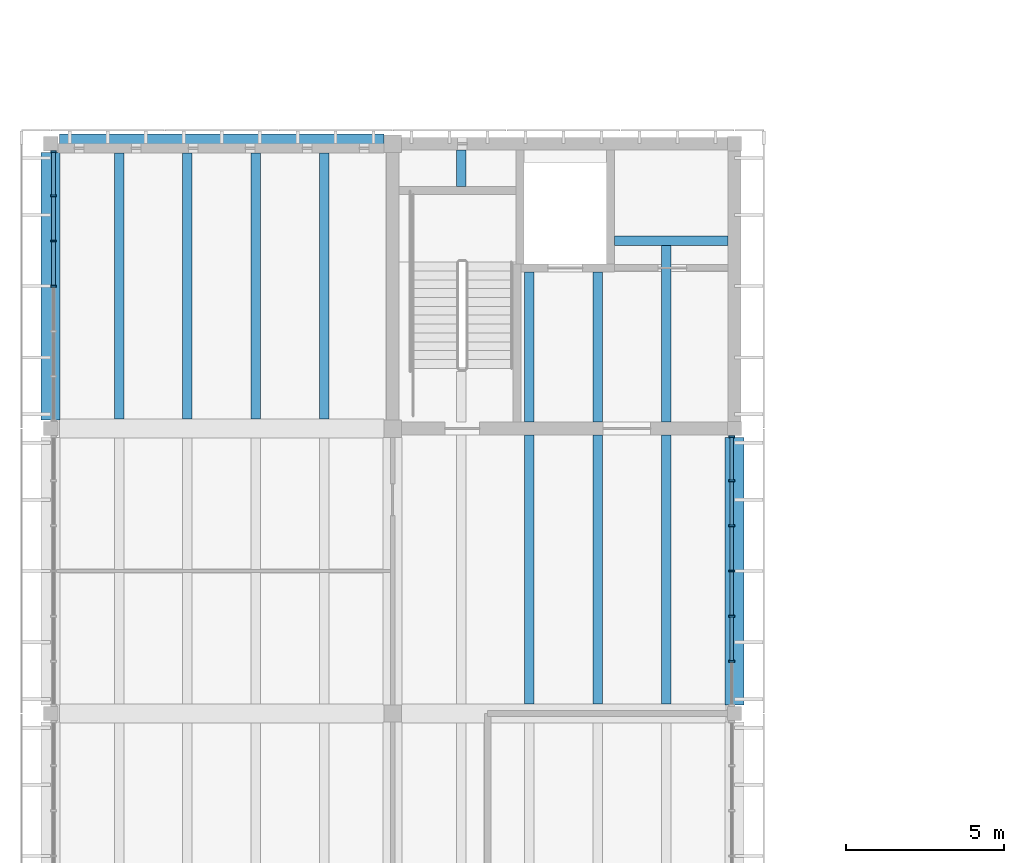
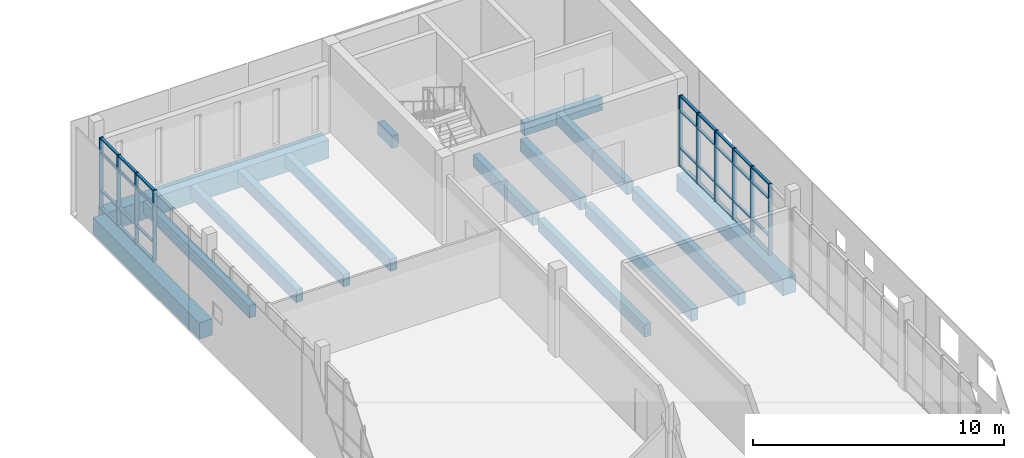
# One storey, part 15 of 50: 42 members, 15 beams, 2 elements without a shape of their own.
"""IFC4 building model written with IfcOpenShell, lengths in metres."""

from ifc_helpers import new_model, si_unit, direction, frame, origin, origin_2d, place, context, subcontext, project, spatial, rectangle, extrude, material, material_profile, profile_set, type_object, element, aggregate, save


model = new_model("IFC4")

# Units and contexts
model_context = context("Model", 3, precision=1e-05, world=origin(), true_north=direction((0.0, 1.0)))
body_context = subcontext(model_context, "Body", "Model", "MODEL_VIEW")
ifc_project = project(units=[si_unit("LENGTHUNIT", "METRE"), si_unit("AREAUNIT", "SQUARE_METRE"), si_unit("VOLUMEUNIT", "CUBIC_METRE"), si_unit("PLANEANGLEUNIT", "RADIAN"), si_unit("MASSUNIT", "GRAM", prefix="KILO")], contexts=[model_context])

# Site, building, storey
site_placement = place(None, origin())
site = spatial("IfcSite", under=ifc_project, at=site_placement, CompositionType="ELEMENT")
building_placement = place(site_placement, origin())
building = spatial("IfcBuilding", under=site, at=building_placement, Name="Merrow Basin Faculty of Sciences", CompositionType="ELEMENT")
storey_placement = place(building_placement, frame((0.0, 0.0, 18.0)))
storey = spatial("IfcBuildingStorey", under=building, at=storey_placement, Name="L04", CompositionType="ELEMENT", Elevation=18.0)

# Curtain wall, members
ifc_material_1 = material(Name="Aluminium alloy 6063", Category="aluminium")
curtain_wall_type = type_object("IfcCurtainWallType", Name="Bar unitised curtain wall 180", PredefinedType="NOTDEFINED", material=ifc_material_1)
curtain_wall_1_placement = place(storey_placement, origin())
curtain_wall_1 = element("IfcCurtainWall", 1, at=curtain_wall_1_placement, inside=storey, type_object=curtain_wall_type, Name="West curtain wall L04 7", PredefinedType="NOTDEFINED")
ifc_material_2 = material(Name="Aluminium alloy 6063", Category="aluminium")
ifc_material_profile_1 = material_profile(ifc_material_2, rectangle(XDim=0.179931640625, YDim=0.06005859375, at=origin_2d()))
ifc_profile_set_1 = profile_set([ifc_material_profile_1], Name="Aluminium alloy 6063")
member_type_1 = type_object("IfcMemberType", Name="Aluminium mullion 60x180", PredefinedType="MULLION", material=ifc_profile_set_1)
member_1_placement = place(storey_placement, frame((0.090087890625, 128.5, 0.0), z_axis=(0.0, 0.0, 1.0), x_axis=(-1.0, 0.0, 0.0)))
member_1 = element("IfcMember", 2, at=member_1_placement, type_object=member_type_1, Name="CW1 mullion 4", PredefinedType="MULLION", context=body_context, shape_type="SweptSolid", body=[
    extrude(rectangle(XDim=0.179931640625, YDim=0.06005859375, at=origin_2d()), origin(), (0.0, 0.0, 1.0), 3.449951171875),
])
member_2_placement = place(storey_placement, frame((0.090087890625, 129.925048828125, 0.0), z_axis=(0.0, 0.0, 1.0), x_axis=(-1.0, 0.0, 0.0)))
member_2 = element("IfcMember", 3, at=member_2_placement, type_object=member_type_1, Name="CW1 mullion 5", PredefinedType="MULLION", context=body_context, shape_type="SweptSolid", body=[
    extrude(rectangle(XDim=0.179931640625, YDim=0.06005859375, at=origin_2d()), origin(), (0.0, 0.0, 1.0), 3.449951171875),
])
member_3_placement = place(storey_placement, frame((0.090087890625, 131.35009765625, 0.0), z_axis=(0.0, 0.0, 1.0), x_axis=(-1.0, 0.0, 0.0)))
member_3 = element("IfcMember", 4, at=member_3_placement, type_object=member_type_1, Name="CW1 mullion 6", PredefinedType="MULLION", context=body_context, shape_type="SweptSolid", body=[
    extrude(rectangle(XDim=0.179931640625, YDim=0.06005859375, at=origin_2d()), origin(), (0.0, 0.0, 1.0), 3.449951171875),
])
member_4_placement = place(storey_placement, frame((0.090087890625, 132.7451171875, 0.0), z_axis=(0.0, 0.0, 1.0), x_axis=(-1.0, 0.0, 0.0)))
member_4 = element("IfcMember", 5, at=member_4_placement, type_object=member_type_1, Name="CW1 mullion 7", PredefinedType="MULLION", context=body_context, shape_type="SweptSolid", body=[
    extrude(rectangle(XDim=0.179931640625, YDim=0.06005859375, at=origin_2d()), origin(), (0.0, 0.0, 1.0), 3.449951171875),
])

curtain_wall_2_placement = place(storey_placement, origin())
curtain_wall_2 = element("IfcCurtainWall", 6, at=curtain_wall_2_placement, inside=storey, type_object=curtain_wall_type, Name="East curtain wall L04 6", PredefinedType="NOTDEFINED")
member_5_placement = place(storey_placement, frame((21.510009765625, 116.64990234375, 0.0), z_axis=(0.0, 0.0, 1.0), x_axis=(-1.0, 0.0, 0.0)))
member_5 = element("IfcMember", 7, at=member_5_placement, type_object=member_type_1, Name="CW1 mullion 2", PredefinedType="MULLION", context=body_context, shape_type="SweptSolid", body=[
    extrude(rectangle(XDim=0.179931640625, YDim=0.06005859375, at=origin_2d()), origin(), (0.0, 0.0, 1.0), 3.449951171875),
])
member_6_placement = place(storey_placement, frame((21.510009765625, 118.074951171875, 0.0), z_axis=(0.0, 0.0, 1.0), x_axis=(-1.0, 0.0, 0.0)))
member_6 = element("IfcMember", 8, at=member_6_placement, type_object=member_type_1, Name="CW1 mullion 3", PredefinedType="MULLION", context=body_context, shape_type="SweptSolid", body=[
    extrude(rectangle(XDim=0.179931640625, YDim=0.06005859375, at=origin_2d()), origin(), (0.0, 0.0, 1.0), 3.449951171875),
])
member_7_placement = place(storey_placement, frame((21.510009765625, 119.5, 0.0), z_axis=(0.0, 0.0, 1.0), x_axis=(-1.0, 0.0, 0.0)))
member_7 = element("IfcMember", 9, at=member_7_placement, type_object=member_type_1, Name="CW1 mullion 4", PredefinedType="MULLION", context=body_context, shape_type="SweptSolid", body=[
    extrude(rectangle(XDim=0.179931640625, YDim=0.06005859375, at=origin_2d()), origin(), (0.0, 0.0, 1.0), 3.449951171875),
])
member_8_placement = place(storey_placement, frame((21.510009765625, 120.925048828125, 0.0), z_axis=(0.0, 0.0, 1.0), x_axis=(-1.0, 0.0, 0.0)))
member_8 = element("IfcMember", 10, at=member_8_placement, type_object=member_type_1, Name="CW1 mullion 5", PredefinedType="MULLION", context=body_context, shape_type="SweptSolid", body=[
    extrude(rectangle(XDim=0.179931640625, YDim=0.06005859375, at=origin_2d()), origin(), (0.0, 0.0, 1.0), 3.449951171875),
])
member_9_placement = place(storey_placement, frame((21.510009765625, 122.35009765625, 0.0), z_axis=(0.0, 0.0, 1.0), x_axis=(-1.0, 0.0, 0.0)))
member_9 = element("IfcMember", 11, at=member_9_placement, type_object=member_type_1, Name="CW1 mullion 6", PredefinedType="MULLION", context=body_context, shape_type="SweptSolid", body=[
    extrude(rectangle(XDim=0.179931640625, YDim=0.06005859375, at=origin_2d()), origin(), (0.0, 0.0, 1.0), 3.449951171875),
])
member_10_placement = place(storey_placement, frame((21.510009765625, 123.7451171875, 0.0), z_axis=(0.0, 0.0, 1.0), x_axis=(-1.0, 0.0, 0.0)))
member_10 = element("IfcMember", 12, at=member_10_placement, type_object=member_type_1, Name="CW1 mullion 7", PredefinedType="MULLION", context=body_context, shape_type="SweptSolid", body=[
    extrude(rectangle(XDim=0.179931640625, YDim=0.06005859375, at=origin_2d()), origin(), (0.0, 0.0, 1.0), 3.449951171875),
])

# Member
ifc_material_3 = material(Name="Aluminium alloy 6063", Category="aluminium")
ifc_material_profile_2 = material_profile(ifc_material_3, rectangle(XDim=0.1201171875, YDim=0.06005859375, at=origin_2d()))
ifc_profile_set_2 = profile_set([ifc_material_profile_2], Name="Aluminium alloy 6063")
member_type_2 = type_object("IfcMemberType", Name="Aluminium transom 60x120", PredefinedType="USERDEFINED", material=ifc_profile_set_2)
member_11_placement = place(storey_placement, frame((0.090087890625, 128.530029296875, 0.030029296875), z_axis=(0.0, 1.0, 0.0), x_axis=(-1.0, 0.0, 0.0)))
member_11 = element("IfcMember", 13, at=member_11_placement, type_object=member_type_2, Name="CW1 transom 4.1", ObjectType="TRANSOM", PredefinedType="USERDEFINED", context=body_context, shape_type="SweptSolid", body=[
    extrude(rectangle(XDim=0.1201171875, YDim=0.06005859375, at=origin_2d()), origin(), (0.0, 0.0, 1.0), 1.364990234375),
])

member_12_placement = place(storey_placement, frame((0.090087890625, 128.530029296875, 0.89990234375), z_axis=(0.0, 1.0, 0.0), x_axis=(-1.0, 0.0, 0.0)))
member_12 = element("IfcMember", 14, at=member_12_placement, type_object=member_type_2, Name="CW1 transom 4.2", ObjectType="TRANSOM", PredefinedType="USERDEFINED", context=body_context, shape_type="SweptSolid", body=[
    extrude(rectangle(XDim=0.1201171875, YDim=0.06005859375, at=origin_2d()), origin(), (0.0, 0.0, 1.0), 1.364990234375),
])

member_13_placement = place(storey_placement, frame((0.090087890625, 128.530029296875, 2.699951171875), z_axis=(0.0, 1.0, 0.0), x_axis=(-1.0, 0.0, 0.0)))
member_13 = element("IfcMember", 15, at=member_13_placement, type_object=member_type_2, Name="CW1 transom 4.3", ObjectType="TRANSOM", PredefinedType="USERDEFINED", context=body_context, shape_type="SweptSolid", body=[
    extrude(rectangle(XDim=0.1201171875, YDim=0.06005859375, at=origin_2d()), origin(), (0.0, 0.0, 1.0), 1.364990234375),
])

member_14_placement = place(storey_placement, frame((0.090087890625, 128.530029296875, 3.419921875), z_axis=(0.0, 1.0, 0.0), x_axis=(-1.0, 0.0, 0.0)))
member_14 = element("IfcMember", 16, at=member_14_placement, type_object=member_type_2, Name="CW1 transom 4.4", ObjectType="TRANSOM", PredefinedType="USERDEFINED", context=body_context, shape_type="SweptSolid", body=[
    extrude(rectangle(XDim=0.1201171875, YDim=0.06005859375, at=origin_2d()), origin(), (0.0, 0.0, 1.0), 1.364990234375),
])

member_15_placement = place(storey_placement, frame((0.090087890625, 129.955078125, 0.030029296875), z_axis=(0.0, 1.0, 0.0), x_axis=(-1.0, 0.0, 0.0)))
member_15 = element("IfcMember", 17, at=member_15_placement, type_object=member_type_2, Name="CW1 transom 5.1", ObjectType="TRANSOM", PredefinedType="USERDEFINED", context=body_context, shape_type="SweptSolid", body=[
    extrude(rectangle(XDim=0.1201171875, YDim=0.06005859375, at=origin_2d()), origin(), (0.0, 0.0, 1.0), 1.364990234375),
])

member_16_placement = place(storey_placement, frame((0.090087890625, 129.955078125, 0.89990234375), z_axis=(0.0, 1.0, 0.0), x_axis=(-1.0, 0.0, 0.0)))
member_16 = element("IfcMember", 18, at=member_16_placement, type_object=member_type_2, Name="CW1 transom 5.2", ObjectType="TRANSOM", PredefinedType="USERDEFINED", context=body_context, shape_type="SweptSolid", body=[
    extrude(rectangle(XDim=0.1201171875, YDim=0.06005859375, at=origin_2d()), origin(), (0.0, 0.0, 1.0), 1.364990234375),
])

member_17_placement = place(storey_placement, frame((0.090087890625, 129.955078125, 2.699951171875), z_axis=(0.0, 1.0, 0.0), x_axis=(-1.0, 0.0, 0.0)))
member_17 = element("IfcMember", 19, at=member_17_placement, type_object=member_type_2, Name="CW1 transom 5.3", ObjectType="TRANSOM", PredefinedType="USERDEFINED", context=body_context, shape_type="SweptSolid", body=[
    extrude(rectangle(XDim=0.1201171875, YDim=0.06005859375, at=origin_2d()), origin(), (0.0, 0.0, 1.0), 1.364990234375),
])

member_18_placement = place(storey_placement, frame((0.090087890625, 129.955078125, 3.419921875), z_axis=(0.0, 1.0, 0.0), x_axis=(-1.0, 0.0, 0.0)))
member_18 = element("IfcMember", 20, at=member_18_placement, type_object=member_type_2, Name="CW1 transom 5.4", ObjectType="TRANSOM", PredefinedType="USERDEFINED", context=body_context, shape_type="SweptSolid", body=[
    extrude(rectangle(XDim=0.1201171875, YDim=0.06005859375, at=origin_2d()), origin(), (0.0, 0.0, 1.0), 1.364990234375),
])

member_19_placement = place(storey_placement, frame((0.090087890625, 131.3798828125, 0.030029296875), z_axis=(0.0, 1.0, 0.0), x_axis=(-1.0, 0.0, 0.0)))
member_19 = element("IfcMember", 21, at=member_19_placement, type_object=member_type_2, Name="CW1 transom 6.1", ObjectType="TRANSOM", PredefinedType="USERDEFINED", context=body_context, shape_type="SweptSolid", body=[
    extrude(rectangle(XDim=0.1201171875, YDim=0.06005859375, at=origin_2d()), origin(), (0.0, 0.0, 1.0), 1.335205078125),
])

member_20_placement = place(storey_placement, frame((0.090087890625, 131.3798828125, 0.89990234375), z_axis=(0.0, 1.0, 0.0), x_axis=(-1.0, 0.0, 0.0)))
member_20 = element("IfcMember", 22, at=member_20_placement, type_object=member_type_2, Name="CW1 transom 6.2", ObjectType="TRANSOM", PredefinedType="USERDEFINED", context=body_context, shape_type="SweptSolid", body=[
    extrude(rectangle(XDim=0.1201171875, YDim=0.06005859375, at=origin_2d()), origin(), (0.0, 0.0, 1.0), 1.335205078125),
])

member_21_placement = place(storey_placement, frame((0.090087890625, 131.3798828125, 2.699951171875), z_axis=(0.0, 1.0, 0.0), x_axis=(-1.0, 0.0, 0.0)))
member_21 = element("IfcMember", 23, at=member_21_placement, type_object=member_type_2, Name="CW1 transom 6.3", ObjectType="TRANSOM", PredefinedType="USERDEFINED", context=body_context, shape_type="SweptSolid", body=[
    extrude(rectangle(XDim=0.1201171875, YDim=0.06005859375, at=origin_2d()), origin(), (0.0, 0.0, 1.0), 1.335205078125),
])

member_22_placement = place(storey_placement, frame((0.090087890625, 131.3798828125, 3.419921875), z_axis=(0.0, 1.0, 0.0), x_axis=(-1.0, 0.0, 0.0)))
member_22 = element("IfcMember", 24, at=member_22_placement, type_object=member_type_2, Name="CW1 transom 6.4", ObjectType="TRANSOM", PredefinedType="USERDEFINED", context=body_context, shape_type="SweptSolid", body=[
    extrude(rectangle(XDim=0.1201171875, YDim=0.06005859375, at=origin_2d()), origin(), (0.0, 0.0, 1.0), 1.335205078125),
])

aggregate(curtain_wall_1, [member_1, member_2, member_3, member_4, member_11, member_12, member_13, member_14, member_15, member_16, member_17, member_18, member_19, member_20, member_21, member_22])

member_23_placement = place(storey_placement, frame((21.510009765625, 116.679931640625, 0.030029296875), z_axis=(0.0, 1.0, 0.0), x_axis=(-1.0, 0.0, 0.0)))
member_23 = element("IfcMember", 25, at=member_23_placement, type_object=member_type_2, Name="CW1 transom 2.1", ObjectType="TRANSOM", PredefinedType="USERDEFINED", context=body_context, shape_type="SweptSolid", body=[
    extrude(rectangle(XDim=0.1201171875, YDim=0.06005859375, at=origin_2d()), origin(), (0.0, 0.0, 1.0), 1.364990234375),
])

member_24_placement = place(storey_placement, frame((21.510009765625, 116.679931640625, 0.89990234375), z_axis=(0.0, 1.0, 0.0), x_axis=(-1.0, 0.0, 0.0)))
member_24 = element("IfcMember", 26, at=member_24_placement, type_object=member_type_2, Name="CW1 transom 2.2", ObjectType="TRANSOM", PredefinedType="USERDEFINED", context=body_context, shape_type="SweptSolid", body=[
    extrude(rectangle(XDim=0.1201171875, YDim=0.06005859375, at=origin_2d()), origin(), (0.0, 0.0, 1.0), 1.364990234375),
])

member_25_placement = place(storey_placement, frame((21.510009765625, 116.679931640625, 2.699951171875), z_axis=(0.0, 1.0, 0.0), x_axis=(-1.0, 0.0, 0.0)))
member_25 = element("IfcMember", 27, at=member_25_placement, type_object=member_type_2, Name="CW1 transom 2.3", ObjectType="TRANSOM", PredefinedType="USERDEFINED", context=body_context, shape_type="SweptSolid", body=[
    extrude(rectangle(XDim=0.1201171875, YDim=0.06005859375, at=origin_2d()), origin(), (0.0, 0.0, 1.0), 1.364990234375),
])

member_26_placement = place(storey_placement, frame((21.510009765625, 116.679931640625, 3.419921875), z_axis=(0.0, 1.0, 0.0), x_axis=(-1.0, 0.0, 0.0)))
member_26 = element("IfcMember", 28, at=member_26_placement, type_object=member_type_2, Name="CW1 transom 2.4", ObjectType="TRANSOM", PredefinedType="USERDEFINED", context=body_context, shape_type="SweptSolid", body=[
    extrude(rectangle(XDim=0.1201171875, YDim=0.06005859375, at=origin_2d()), origin(), (0.0, 0.0, 1.0), 1.364990234375),
])

member_27_placement = place(storey_placement, frame((21.510009765625, 118.10498046875, 0.030029296875), z_axis=(0.0, 1.0, 0.0), x_axis=(-1.0, 0.0, 0.0)))
member_27 = element("IfcMember", 29, at=member_27_placement, type_object=member_type_2, Name="CW1 transom 3.1", ObjectType="TRANSOM", PredefinedType="USERDEFINED", context=body_context, shape_type="SweptSolid", body=[
    extrude(rectangle(XDim=0.1201171875, YDim=0.06005859375, at=origin_2d()), origin(), (0.0, 0.0, 1.0), 1.364990234375),
])

member_28_placement = place(storey_placement, frame((21.510009765625, 118.10498046875, 0.89990234375), z_axis=(0.0, 1.0, 0.0), x_axis=(-1.0, 0.0, 0.0)))
member_28 = element("IfcMember", 30, at=member_28_placement, type_object=member_type_2, Name="CW1 transom 3.2", ObjectType="TRANSOM", PredefinedType="USERDEFINED", context=body_context, shape_type="SweptSolid", body=[
    extrude(rectangle(XDim=0.1201171875, YDim=0.06005859375, at=origin_2d()), origin(), (0.0, 0.0, 1.0), 1.364990234375),
])

member_29_placement = place(storey_placement, frame((21.510009765625, 118.10498046875, 2.699951171875), z_axis=(0.0, 1.0, 0.0), x_axis=(-1.0, 0.0, 0.0)))
member_29 = element("IfcMember", 31, at=member_29_placement, type_object=member_type_2, Name="CW1 transom 3.3", ObjectType="TRANSOM", PredefinedType="USERDEFINED", context=body_context, shape_type="SweptSolid", body=[
    extrude(rectangle(XDim=0.1201171875, YDim=0.06005859375, at=origin_2d()), origin(), (0.0, 0.0, 1.0), 1.364990234375),
])

member_30_placement = place(storey_placement, frame((21.510009765625, 118.10498046875, 3.419921875), z_axis=(0.0, 1.0, 0.0), x_axis=(-1.0, 0.0, 0.0)))
member_30 = element("IfcMember", 32, at=member_30_placement, type_object=member_type_2, Name="CW1 transom 3.4", ObjectType="TRANSOM", PredefinedType="USERDEFINED", context=body_context, shape_type="SweptSolid", body=[
    extrude(rectangle(XDim=0.1201171875, YDim=0.06005859375, at=origin_2d()), origin(), (0.0, 0.0, 1.0), 1.364990234375),
])

member_31_placement = place(storey_placement, frame((21.510009765625, 119.530029296875, 0.030029296875), z_axis=(0.0, 1.0, 0.0), x_axis=(-1.0, 0.0, 0.0)))
member_31 = element("IfcMember", 33, at=member_31_placement, type_object=member_type_2, Name="CW1 transom 4.1", ObjectType="TRANSOM", PredefinedType="USERDEFINED", context=body_context, shape_type="SweptSolid", body=[
    extrude(rectangle(XDim=0.1201171875, YDim=0.06005859375, at=origin_2d()), origin(), (0.0, 0.0, 1.0), 1.364990234375),
])

member_32_placement = place(storey_placement, frame((21.510009765625, 119.530029296875, 0.89990234375), z_axis=(0.0, 1.0, 0.0), x_axis=(-1.0, 0.0, 0.0)))
member_32 = element("IfcMember", 34, at=member_32_placement, type_object=member_type_2, Name="CW1 transom 4.2", ObjectType="TRANSOM", PredefinedType="USERDEFINED", context=body_context, shape_type="SweptSolid", body=[
    extrude(rectangle(XDim=0.1201171875, YDim=0.06005859375, at=origin_2d()), origin(), (0.0, 0.0, 1.0), 1.364990234375),
])

member_33_placement = place(storey_placement, frame((21.510009765625, 119.530029296875, 2.699951171875), z_axis=(0.0, 1.0, 0.0), x_axis=(-1.0, 0.0, 0.0)))
member_33 = element("IfcMember", 35, at=member_33_placement, type_object=member_type_2, Name="CW1 transom 4.3", ObjectType="TRANSOM", PredefinedType="USERDEFINED", context=body_context, shape_type="SweptSolid", body=[
    extrude(rectangle(XDim=0.1201171875, YDim=0.06005859375, at=origin_2d()), origin(), (0.0, 0.0, 1.0), 1.364990234375),
])

member_34_placement = place(storey_placement, frame((21.510009765625, 119.530029296875, 3.419921875), z_axis=(0.0, 1.0, 0.0), x_axis=(-1.0, 0.0, 0.0)))
member_34 = element("IfcMember", 36, at=member_34_placement, type_object=member_type_2, Name="CW1 transom 4.4", ObjectType="TRANSOM", PredefinedType="USERDEFINED", context=body_context, shape_type="SweptSolid", body=[
    extrude(rectangle(XDim=0.1201171875, YDim=0.06005859375, at=origin_2d()), origin(), (0.0, 0.0, 1.0), 1.364990234375),
])

member_35_placement = place(storey_placement, frame((21.510009765625, 120.955078125, 0.030029296875), z_axis=(0.0, 1.0, 0.0), x_axis=(-1.0, 0.0, 0.0)))
member_35 = element("IfcMember", 37, at=member_35_placement, type_object=member_type_2, Name="CW1 transom 5.1", ObjectType="TRANSOM", PredefinedType="USERDEFINED", context=body_context, shape_type="SweptSolid", body=[
    extrude(rectangle(XDim=0.1201171875, YDim=0.06005859375, at=origin_2d()), origin(), (0.0, 0.0, 1.0), 1.364990234375),
])

member_36_placement = place(storey_placement, frame((21.510009765625, 120.955078125, 0.89990234375), z_axis=(0.0, 1.0, 0.0), x_axis=(-1.0, 0.0, 0.0)))
member_36 = element("IfcMember", 38, at=member_36_placement, type_object=member_type_2, Name="CW1 transom 5.2", ObjectType="TRANSOM", PredefinedType="USERDEFINED", context=body_context, shape_type="SweptSolid", body=[
    extrude(rectangle(XDim=0.1201171875, YDim=0.06005859375, at=origin_2d()), origin(), (0.0, 0.0, 1.0), 1.364990234375),
])

member_37_placement = place(storey_placement, frame((21.510009765625, 120.955078125, 2.699951171875), z_axis=(0.0, 1.0, 0.0), x_axis=(-1.0, 0.0, 0.0)))
member_37 = element("IfcMember", 39, at=member_37_placement, type_object=member_type_2, Name="CW1 transom 5.3", ObjectType="TRANSOM", PredefinedType="USERDEFINED", context=body_context, shape_type="SweptSolid", body=[
    extrude(rectangle(XDim=0.1201171875, YDim=0.06005859375, at=origin_2d()), origin(), (0.0, 0.0, 1.0), 1.364990234375),
])

member_38_placement = place(storey_placement, frame((21.510009765625, 120.955078125, 3.419921875), z_axis=(0.0, 1.0, 0.0), x_axis=(-1.0, 0.0, 0.0)))
member_38 = element("IfcMember", 40, at=member_38_placement, type_object=member_type_2, Name="CW1 transom 5.4", ObjectType="TRANSOM", PredefinedType="USERDEFINED", context=body_context, shape_type="SweptSolid", body=[
    extrude(rectangle(XDim=0.1201171875, YDim=0.06005859375, at=origin_2d()), origin(), (0.0, 0.0, 1.0), 1.364990234375),
])

member_39_placement = place(storey_placement, frame((21.510009765625, 122.3798828125, 0.030029296875), z_axis=(0.0, 1.0, 0.0), x_axis=(-1.0, 0.0, 0.0)))
member_39 = element("IfcMember", 41, at=member_39_placement, type_object=member_type_2, Name="CW1 transom 6.1", ObjectType="TRANSOM", PredefinedType="USERDEFINED", context=body_context, shape_type="SweptSolid", body=[
    extrude(rectangle(XDim=0.1201171875, YDim=0.06005859375, at=origin_2d()), origin(), (0.0, 0.0, 1.0), 1.335205078125),
])

member_40_placement = place(storey_placement, frame((21.510009765625, 122.3798828125, 0.89990234375), z_axis=(0.0, 1.0, 0.0), x_axis=(-1.0, 0.0, 0.0)))
member_40 = element("IfcMember", 42, at=member_40_placement, type_object=member_type_2, Name="CW1 transom 6.2", ObjectType="TRANSOM", PredefinedType="USERDEFINED", context=body_context, shape_type="SweptSolid", body=[
    extrude(rectangle(XDim=0.1201171875, YDim=0.06005859375, at=origin_2d()), origin(), (0.0, 0.0, 1.0), 1.335205078125),
])

member_41_placement = place(storey_placement, frame((21.510009765625, 122.3798828125, 2.699951171875), z_axis=(0.0, 1.0, 0.0), x_axis=(-1.0, 0.0, 0.0)))
member_41 = element("IfcMember", 43, at=member_41_placement, type_object=member_type_2, Name="CW1 transom 6.3", ObjectType="TRANSOM", PredefinedType="USERDEFINED", context=body_context, shape_type="SweptSolid", body=[
    extrude(rectangle(XDim=0.1201171875, YDim=0.06005859375, at=origin_2d()), origin(), (0.0, 0.0, 1.0), 1.335205078125),
])

member_42_placement = place(storey_placement, frame((21.510009765625, 122.3798828125, 3.419921875), z_axis=(0.0, 1.0, 0.0), x_axis=(-1.0, 0.0, 0.0)))
member_42 = element("IfcMember", 44, at=member_42_placement, type_object=member_type_2, Name="CW1 transom 6.4", ObjectType="TRANSOM", PredefinedType="USERDEFINED", context=body_context, shape_type="SweptSolid", body=[
    extrude(rectangle(XDim=0.1201171875, YDim=0.06005859375, at=origin_2d()), origin(), (0.0, 0.0, 1.0), 1.335205078125),
])

aggregate(curtain_wall_2, [member_5, member_6, member_7, member_8, member_9, member_10, member_23, member_24, member_25, member_26, member_27, member_28, member_29, member_30, member_31, member_32, member_33, member_34, member_35, member_36, member_37, member_38, member_39, member_40, member_41, member_42])

# Beams
ifc_material_4 = material(Name="Concrete C40/50", Category="concrete")
ifc_material_profile_3 = material_profile(ifc_material_4, rectangle(XDim=0.60009765625, YDim=0.800048828125, at=origin_2d()))
ifc_profile_set_3 = profile_set([ifc_material_profile_3], Name="Concrete C40/50")
beam_type_1 = type_object("IfcBeamType", Name="Beam RC600x800 C40/50", PredefinedType="BEAM", material=ifc_profile_set_3)
for number, where, z_axis, x_axis, name in (
    (45, (0.0, 124.27490234375, -0.699951171875), (0.0, 1.0, 0.0), (-1.0, 0.0, 0.0), "B2 L04 021"),
    (46, (21.60009765625, 115.27490234375, -0.699951171875), (0.0, 1.0, 0.0), (-1.0, 0.0, 0.0), "B2 L04 033"),
):
    element("IfcBeam", number, at=place(storey_placement, frame(where, z_axis=z_axis, x_axis=x_axis)), inside=storey, type_object=beam_type_1, Name=name, PredefinedType="BEAM", context=body_context, shape_type="SweptSolid", body=[
        extrude(rectangle(XDim=0.60009765625, YDim=0.800048828125, at=origin_2d()), origin(), (0.0, 0.0, 1.0), 8.4501953125),
    ])
ifc_material_5 = material(Name="Concrete C40/50", Category="concrete")
ifc_material_profile_4 = material_profile(ifc_material_5, rectangle(XDim=0.60009765625, YDim=0.89990234375, at=origin_2d()))
ifc_profile_set_4 = profile_set([ifc_material_profile_4], Name="Concrete C40/50")
beam_type_2 = type_object("IfcBeamType", Name="Beam RC600x900 C40/50", PredefinedType="BEAM", material=ifc_profile_set_4)
beam_1_placement = place(storey_placement, frame((0.27490234375, 133.0, -0.75), z_axis=(1.0, 0.0, 0.0), x_axis=(0.0, 1.0, 0.0)))
element("IfcBeam", 47, at=beam_1_placement, inside=storey, type_object=beam_type_2, Name="B1 L04 014", PredefinedType="BEAM", context=body_context, shape_type="SweptSolid", body=[
    extrude(rectangle(XDim=0.60009765625, YDim=0.89990234375, at=origin_2d()), origin(), (0.0, 0.0, 1.0), 10.25),
])
ifc_material_6 = material(Name="Concrete C40/50", Category="concrete")
ifc_material_profile_5 = material_profile(ifc_material_6, rectangle(XDim=0.300048828125, YDim=0.60009765625, at=origin_2d()))
ifc_profile_set_5 = profile_set([ifc_material_profile_5], Name="Concrete C40/50")
beam_type_3 = type_object("IfcBeamType", Name="Laboratory floor joist RC300x600 C40/50", PredefinedType="BEAM", material=ifc_profile_set_5)
for number, where, z_axis, x_axis, name in (
    (48, (2.159912109375, 124.300048828125, -0.60009765625), (0.0, 1.0, 0.0), (-1.0, 0.0, 0.0), "JL1 L04 063"),
    (49, (4.320068359375, 124.300048828125, -0.60009765625), (0.0, 1.0, 0.0), (-1.0, 0.0, 0.0), "JL1 L04 064"),
    (50, (6.47998046875, 124.300048828125, -0.60009765625), (0.0, 1.0, 0.0), (-1.0, 0.0, 0.0), "JL1 L04 065"),
    (51, (8.639892578125, 124.300048828125, -0.60009765625), (0.0, 1.0, 0.0), (-1.0, 0.0, 0.0), "JL1 L04 066"),
):
    element("IfcBeam", number, at=place(storey_placement, frame(where, z_axis=z_axis, x_axis=x_axis)), inside=storey, type_object=beam_type_3, Name=name, PredefinedType="BEAM", context=body_context, shape_type="SweptSolid", body=[
        extrude(rectangle(XDim=0.300048828125, YDim=0.60009765625, at=origin_2d()), origin(), (0.0, 0.0, 1.0), 8.39990234375),
    ])
for number, where, z_axis, x_axis, name in (
    (52, (15.1201171875, 115.300048828125, -0.60009765625), (0.0, 1.0, 0.0), (-1.0, 0.0, 0.0), "JL1 L04 094"),
    (53, (17.280029296875, 115.300048828125, -0.60009765625), (0.0, 1.0, 0.0), (-1.0, 0.0, 0.0), "JL1 L04 095"),
    (54, (19.43994140625, 115.300048828125, -0.60009765625), (0.0, 1.0, 0.0), (-1.0, 0.0, 0.0), "JL1 L04 096"),
):
    element("IfcBeam", number, at=place(storey_placement, frame(where, z_axis=z_axis, x_axis=x_axis)), inside=storey, type_object=beam_type_3, Name=name, PredefinedType="BEAM", context=body_context, shape_type="SweptSolid", body=[
        extrude(rectangle(XDim=0.300048828125, YDim=0.60009765625, at=origin_2d()), origin(), (0.0, 0.0, 1.0), 8.5),
    ])
beam_2_placement = place(storey_placement, frame((12.9599609375, 131.64990234375, -0.60009765625), z_axis=(0.0, 1.0, 0.0), x_axis=(-1.0, 0.0, 0.0)))
element("IfcBeam", 55, at=beam_2_placement, inside=storey, type_object=beam_type_3, Name="JL1 L04 098", PredefinedType="BEAM", context=body_context, shape_type="SweptSolid", body=[
    extrude(rectangle(XDim=0.300048828125, YDim=0.60009765625, at=origin_2d()), origin(), (0.0, 0.0, 1.0), 1.150146484375),
])
for number, where, z_axis, x_axis, name in (
    (56, (15.1201171875, 124.199951171875, -0.60009765625), (0.0, 1.0, 0.0), (-1.0, 0.0, 0.0), "JL1 L04 099"),
    (57, (17.280029296875, 124.199951171875, -0.60009765625), (0.0, 1.0, 0.0), (-1.0, 0.0, 0.0), "JL1 L04 100"),
):
    element("IfcBeam", number, at=place(storey_placement, frame(where, z_axis=z_axis, x_axis=x_axis)), inside=storey, type_object=beam_type_3, Name=name, PredefinedType="BEAM", context=body_context, shape_type="SweptSolid", body=[
        extrude(rectangle(XDim=0.300048828125, YDim=0.60009765625, at=origin_2d()), origin(), (0.0, 0.0, 1.0), 4.75),
    ])
beam_3_placement = place(storey_placement, frame((19.43994140625, 124.199951171875, -0.60009765625), z_axis=(0.0, 1.0, 0.0), x_axis=(-1.0, 0.0, 0.0)))
element("IfcBeam", 58, at=beam_3_placement, inside=storey, type_object=beam_type_3, Name="JL1 L04 101", PredefinedType="BEAM", context=body_context, shape_type="SweptSolid", body=[
    extrude(rectangle(XDim=0.300048828125, YDim=0.60009765625, at=origin_2d()), origin(), (0.0, 0.0, 1.0), 5.574951171875),
])
beam_4_placement = place(storey_placement, frame((17.800048828125, 129.925048828125, -0.60009765625), z_axis=(1.0, 0.0, 0.0), x_axis=(0.0, 1.0, 0.0)))
element("IfcBeam", 59, at=beam_4_placement, inside=storey, type_object=beam_type_3, Name="JL1 L04 102", PredefinedType="BEAM", context=body_context, shape_type="SweptSolid", body=[
    extrude(rectangle(XDim=0.300048828125, YDim=0.60009765625, at=origin_2d()), origin(), (0.0, 0.0, 1.0), 3.599853515625),
])

save(model, "model.ifc")
